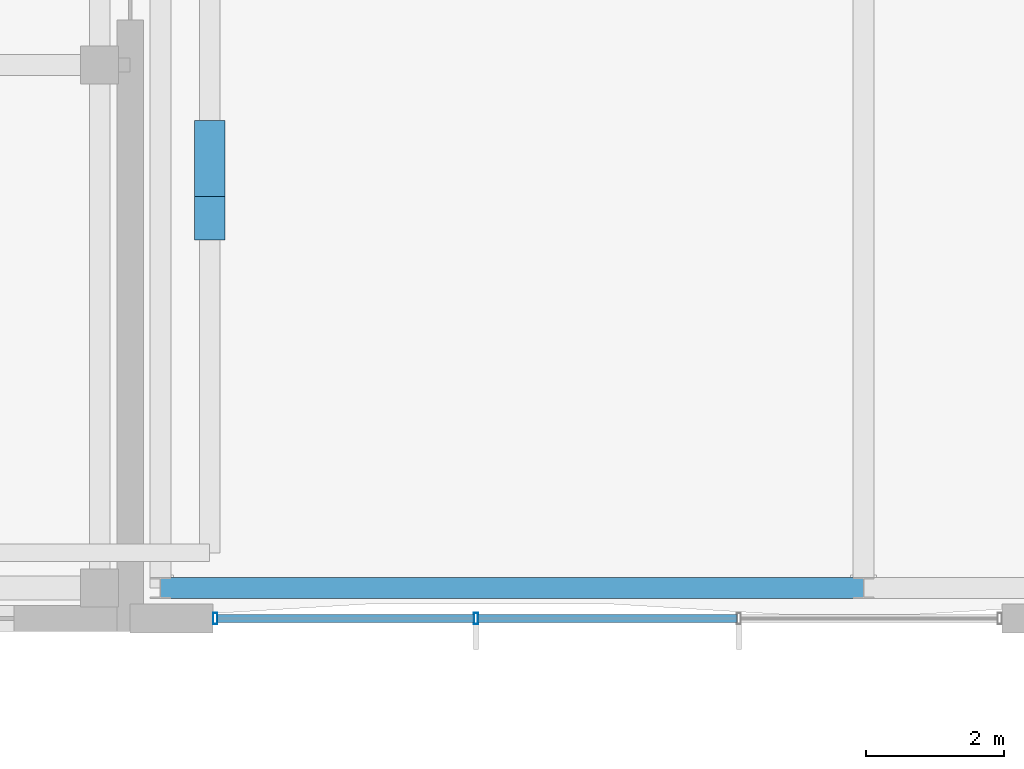
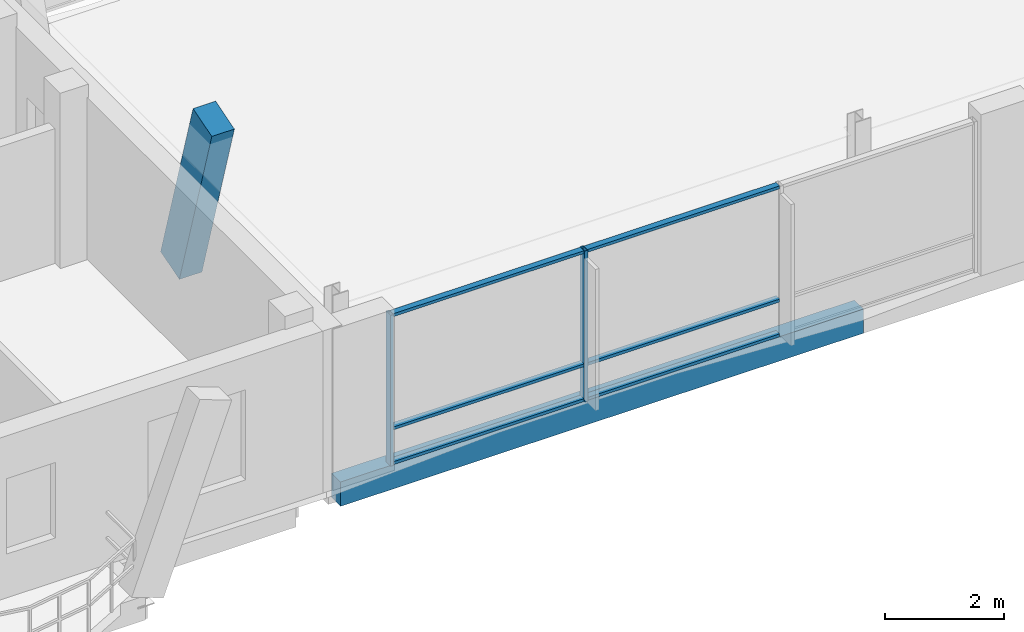
# One storey, part 17 of 189: 9 members, 1 beam, 1 element without a shape of its own.
"""IFC4 building model written with IfcOpenShell, lengths in metres."""

from ifc_helpers import new_model, si_unit, direction, frame, origin, origin_2d, place, context, subcontext, project, spatial, rectangle, hollow_rectangle, extrude, material, material_profile, profile_set, type_object, element, aggregate, save


model = new_model("IFC4")

# Units and contexts
model_context = context("Model", 3, precision=1e-05, world=origin(), true_north=direction((0.0, 1.0)))
body_context = subcontext(model_context, "Body", "Model", "MODEL_VIEW")
ifc_project = project(units=[si_unit("LENGTHUNIT", "METRE"), si_unit("AREAUNIT", "SQUARE_METRE"), si_unit("VOLUMEUNIT", "CUBIC_METRE"), si_unit("PLANEANGLEUNIT", "RADIAN"), si_unit("MASSUNIT", "GRAM", prefix="KILO")], contexts=[model_context])

# Site, building, storey
site_placement = place(None, origin())
site = spatial("IfcSite", under=ifc_project, at=site_placement, CompositionType="ELEMENT")
building_placement = place(site_placement, origin())
building = spatial("IfcBuilding", under=site, at=building_placement, Name="Zavelmont Quarter", CompositionType="ELEMENT")
storey_placement = place(building_placement, frame((0.0, 0.0, 4.39990234375)))
storey = spatial("IfcBuildingStorey", under=building, at=storey_placement, Name="L01", CompositionType="ELEMENT", Elevation=4.39990234375)

# Beam
ifc_material_1 = material(Name="Concrete C35/45", Category="concrete")
ifc_material_profile_1 = material_profile(ifc_material_1, rectangle(XDim=0.300048828125, YDim=0.5, at=origin_2d()), Name="RC300X500")
ifc_profile_set_1 = profile_set([ifc_material_profile_1], Name="Concrete C35/45")
beam_type = type_object("IfcBeamType", Name="BM03", PredefinedType="BEAM", material=ifc_profile_set_1)
beam_placement = place(storey_placement, frame((55.639892578125, 0.43994140625, -0.52978515625), z_axis=(1.0, 0.0, 0.0), x_axis=(0.0, 1.0, 0.0)))
element("IfcBeam", 1, at=beam_placement, inside=storey, type_object=beam_type, Name="L01 beam BM03 9/A to 10/A", PredefinedType="BEAM", context=body_context, shape_type="SweptSolid", body=[
    extrude(rectangle(XDim=0.300048828125, YDim=0.5, at=origin_2d()), origin(), (0.0, 0.0, 1.0), 10.16015625),
])

# Curtain wall, members
ifc_material_2 = material(Name="Thermally broken aluminium and double low-E safety glazing", Category="aluminium")
curtain_wall_type = type_object("IfcCurtainWallType", Name="CW-1140X310", PredefinedType="NOTDEFINED", material=ifc_material_2)
curtain_wall_placement = place(storey_placement, origin())
curtain_wall = element("IfcCurtainWall", 2, at=curtain_wall_placement, inside=storey, type_object=curtain_wall_type, Name="L01 unitised curtain wall CW-1140X310", PredefinedType="NOTDEFINED")
ifc_material_3 = material(Name="Powder-coated aluminium EN AW-6063-T6", Category="aluminium")
ifc_material_profile_2 = material_profile(ifc_material_3, hollow_rectangle(XDim=0.06005859375, YDim=0.159912109375, WallThickness=0.00390625, at=origin_2d()), Name="CWM60X160")
ifc_profile_set_2 = profile_set([ifc_material_profile_2], Name="Powder-coated aluminium EN AW-6063-T6")
member_type_1 = type_object("IfcMemberType", Name="CWM01", PredefinedType="MULLION", material=ifc_profile_set_2)
member_1_placement = place(storey_placement, frame((56.429931640625, 0.0, 0.0), z_axis=(0.0, 0.0, 1.0), x_axis=(1.0, 0.0, 0.0)))
member_1 = element("IfcMember", 3, at=member_1_placement, type_object=member_type_1, Name="CW-1140X310 mullion 1", PredefinedType="MULLION", context=body_context, shape_type="SweptSolid", body=[
    extrude(hollow_rectangle(XDim=0.06005859375, YDim=0.159912109375, WallThickness=0.00390625, at=origin_2d()), origin(), (0.0, 0.0, 1.0), 3.10009765625),
])
member_2_placement = place(storey_placement, frame((60.199951171875, 0.0, 0.0), z_axis=(0.0, 0.0, 1.0), x_axis=(1.0, 0.0, 0.0)))
member_2 = element("IfcMember", 4, at=member_2_placement, type_object=member_type_1, Name="CW-1140X310 mullion 2", PredefinedType="MULLION", context=body_context, shape_type="SweptSolid", body=[
    extrude(hollow_rectangle(XDim=0.06005859375, YDim=0.159912109375, WallThickness=0.00390625, at=origin_2d()), origin(), (0.0, 0.0, 1.0), 3.10009765625),
])
ifc_material_profile_3 = material_profile(ifc_material_3, hollow_rectangle(XDim=0.1201171875, YDim=0.06005859375, WallThickness=0.00390625, at=origin_2d()), Name="CWT60X120")
ifc_profile_set_3 = profile_set([ifc_material_profile_3], Name="Powder-coated aluminium EN AW-6063-T6")
member_type_2 = type_object("IfcMemberType", Name="CWT01", PredefinedType="NOTDEFINED", material=ifc_profile_set_3)
member_3_placement = place(storey_placement, frame((56.4599609375, 0.0, 0.030029296875), z_axis=(1.0, 0.0, 0.0), x_axis=(0.0, 1.0, 0.0)))
member_3 = element("IfcMember", 5, at=member_3_placement, type_object=member_type_2, Name="CW-1140X310 transom 1.1", ObjectType="TRANSOM", PredefinedType="USERDEFINED", context=body_context, shape_type="SweptSolid", body=[
    extrude(hollow_rectangle(XDim=0.1201171875, YDim=0.06005859375, WallThickness=0.00390625, at=origin_2d()), origin(), (0.0, 0.0, 1.0), 3.7099609375),
])
member_4_placement = place(storey_placement, frame((56.4599609375, 0.0, 0.744140625), z_axis=(1.0, 0.0, 0.0), x_axis=(0.0, 1.0, 0.0)))
member_4 = element("IfcMember", 6, at=member_4_placement, type_object=member_type_2, Name="CW-1140X310 transom 1.2", ObjectType="TRANSOM", PredefinedType="USERDEFINED", context=body_context, shape_type="SweptSolid", body=[
    extrude(hollow_rectangle(XDim=0.1201171875, YDim=0.06005859375, WallThickness=0.00390625, at=origin_2d()), origin(), (0.0, 0.0, 1.0), 3.7099609375),
])
member_5_placement = place(storey_placement, frame((56.4599609375, 0.0, 3.070068359375), z_axis=(1.0, 0.0, 0.0), x_axis=(0.0, 1.0, 0.0)))
member_5 = element("IfcMember", 7, at=member_5_placement, type_object=member_type_2, Name="CW-1140X310 transom 1.3", ObjectType="TRANSOM", PredefinedType="USERDEFINED", context=body_context, shape_type="SweptSolid", body=[
    extrude(hollow_rectangle(XDim=0.1201171875, YDim=0.06005859375, WallThickness=0.00390625, at=origin_2d()), origin(), (0.0, 0.0, 1.0), 3.7099609375),
])
member_6_placement = place(storey_placement, frame((60.22998046875, 0.0, 0.030029296875), z_axis=(1.0, 0.0, 0.0), x_axis=(0.0, 1.0, 0.0)))
member_6 = element("IfcMember", 8, at=member_6_placement, type_object=member_type_2, Name="CW-1140X310 transom 2.1", ObjectType="TRANSOM", PredefinedType="USERDEFINED", context=body_context, shape_type="SweptSolid", body=[
    extrude(hollow_rectangle(XDim=0.1201171875, YDim=0.06005859375, WallThickness=0.00390625, at=origin_2d()), origin(), (0.0, 0.0, 1.0), 3.739990234375),
])
member_7_placement = place(storey_placement, frame((60.22998046875, 0.0, 0.744140625), z_axis=(1.0, 0.0, 0.0), x_axis=(0.0, 1.0, 0.0)))
member_7 = element("IfcMember", 9, at=member_7_placement, type_object=member_type_2, Name="CW-1140X310 transom 2.2", ObjectType="TRANSOM", PredefinedType="USERDEFINED", context=body_context, shape_type="SweptSolid", body=[
    extrude(hollow_rectangle(XDim=0.1201171875, YDim=0.06005859375, WallThickness=0.00390625, at=origin_2d()), origin(), (0.0, 0.0, 1.0), 3.739990234375),
])
member_8_placement = place(storey_placement, frame((60.22998046875, 0.0, 3.070068359375), z_axis=(1.0, 0.0, 0.0), x_axis=(0.0, 1.0, 0.0)))
member_8 = element("IfcMember", 10, at=member_8_placement, type_object=member_type_2, Name="CW-1140X310 transom 2.3", ObjectType="TRANSOM", PredefinedType="USERDEFINED", context=body_context, shape_type="SweptSolid", body=[
    extrude(hollow_rectangle(XDim=0.1201171875, YDim=0.06005859375, WallThickness=0.00390625, at=origin_2d()), origin(), (0.0, 0.0, 1.0), 3.739990234375),
])
aggregate(curtain_wall, [member_1, member_2, member_3, member_4, member_5, member_6, member_7, member_8])

# Member
ifc_material_4 = material(Name="White architectural precast concrete C40/50", Category="concrete")
ifc_material_profile_4 = material_profile(ifc_material_4, rectangle(XDim=0.43994140625, YDim=0.659912109375, at=origin_2d()), Name="PCR320X480")
ifc_profile_set_4 = profile_set([ifc_material_profile_4], Name="White architectural precast concrete C40/50")
member_type_3 = type_object("IfcMemberType", Name="VR01M", PredefinedType="CHORD", material=ifc_profile_set_4)
member_9_placement = place(storey_placement, frame((56.35009765625, 6.880859375, 0.0), z_axis=(0.0, -0.290454017543, 0.956888950555), x_axis=(1.0, 0.0, 0.0)))
element("IfcMember", 11, at=member_9_placement, inside=storey, type_object=member_type_3, Name="L01 member VR01M 9/B to 9/B", PredefinedType="CHORD", context=body_context, shape_type="SweptSolid", body=[
    extrude(rectangle(XDim=0.43994140625, YDim=0.659912109375, at=origin_2d()), origin(), (0.0, 0.0, 1.0), 3.76220703125),
])

save(model, "model.ifc")
